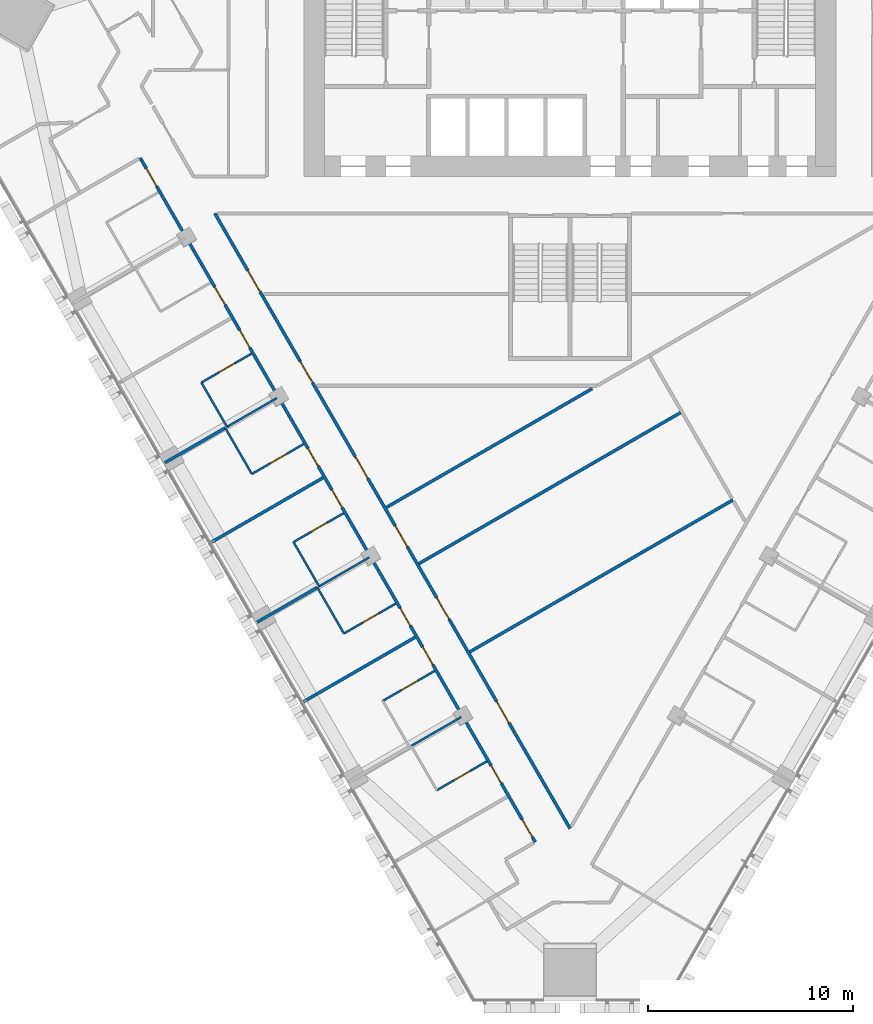
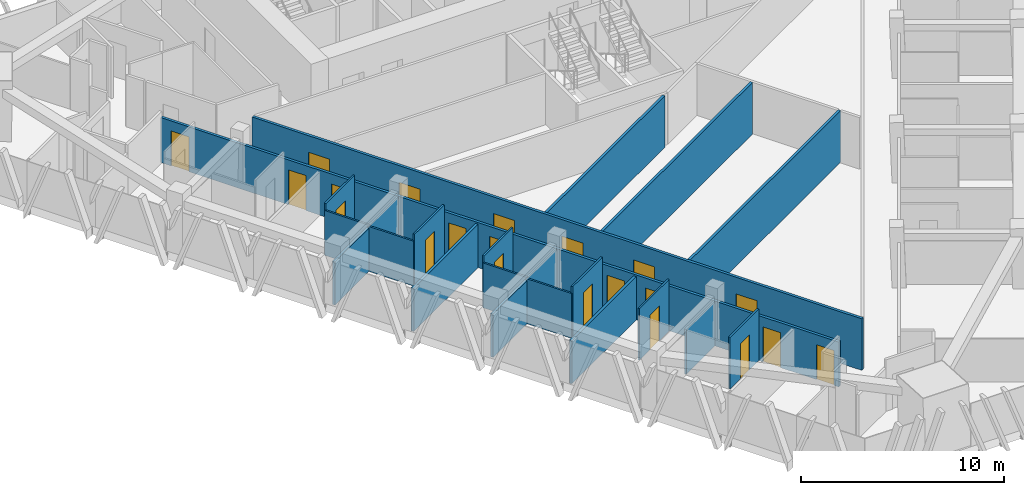
# One storey, part 9 of 17: 22 walls, 21 doors, 21 openings.
"""IFC4 building model written with IfcOpenShell, lengths in metres."""

from ifc_helpers import new_model, si_unit, direction, frame, frame_2d, origin, place, context, subcontext, project, spatial, rectangle, extrude, material, layer, layer_set, type_object, element, fill, save


model = new_model("IFC4")

# Units and contexts
model_context = context("Model", 3, precision=1e-05, world=origin(), true_north=direction((0.0, 1.0)))
body_context = subcontext(model_context, "Body", "Model", "MODEL_VIEW")
ifc_project = project(units=[si_unit("LENGTHUNIT", "METRE"), si_unit("AREAUNIT", "SQUARE_METRE"), si_unit("VOLUMEUNIT", "CUBIC_METRE"), si_unit("PLANEANGLEUNIT", "RADIAN"), si_unit("MASSUNIT", "GRAM", prefix="KILO")], contexts=[model_context])

# Site, building, storey
site_placement = place(None, origin())
site = spatial("IfcSite", under=ifc_project, at=site_placement, CompositionType="ELEMENT")
building_placement = place(site_placement, origin())
building = spatial("IfcBuilding", under=site, at=building_placement, Name="Altiplano Prism Tower", CompositionType="ELEMENT")
storey_placement = place(building_placement, frame((0.0, 0.0, 52.199951171875)))
storey = spatial("IfcBuildingStorey", under=building, at=storey_placement, Name="L12", CompositionType="ELEMENT", Elevation=52.199951171875)

# Wall
ifc_material_1 = material(Name="Plasterboard on steel stud", Category="steel")
ifc_layer_1 = layer(ifc_material_1, 0.10009765625)
ifc_layer_set_1 = layer_set([ifc_layer_1], Name="Plasterboard on steel stud")
wall_type_1 = type_object("IfcWallType", Name="Partition 100 unit", PredefinedType="PARTITIONING", material=ifc_layer_set_1)
wall_1_placement = place(storey_placement, frame((68.240966796875, 80.1669921875, 0.0), z_axis=(0.0, 0.0, 1.0), x_axis=(-0.500004234368, 0.866022959057, 0.0)))
element("IfcWall", 1, at=wall_1_placement, inside=storey, type_object=wall_type_1, Name="Partition P02 L12 063", PredefinedType="PARTITIONING", context=body_context, shape_type="SweptSolid", body=[
    extrude(rectangle(XDim=2.5, YDim=0.10009765625, at=frame_2d((1.25, 0.0))), origin(), (0.0, 0.0, 1.0), 2.699951171875),
])

# Wall, opening, door
wall_2_placement = place(storey_placement, frame((66.990966796875, 82.33203125, 0.0), z_axis=(0.0, 0.0, 1.0), x_axis=(0.866048868473, 0.499959355765, 0.0)))
wall_2 = element("IfcWall", 2, at=wall_2_placement, inside=storey, type_object=wall_type_1, Name="Partition P02 L12 064", PredefinedType="PARTITIONING", context=body_context, shape_type="SweptSolid", body=[
    extrude(rectangle(XDim=2.824951171875, YDim=0.10009765625, at=frame_2d((1.41259765625, 0.0))), origin(), (0.0, 0.0, 1.0), 3.10009765625),
])
opening_1_placement = place(wall_2_placement, frame((1.0, 0.0, 0.0)))
opening_1 = element("IfcOpeningElement", 3, at=opening_1_placement, cuts=wall_2, Name="Opening D0483", PredefinedType="OPENING", context=body_context, shape_type="SweptSolid", body=[
    extrude(rectangle(XDim=0.89990234375, YDim=2.10009765625, at=frame_2d((0.449951171875, 1.050048828125))), frame((0.0, 0.060546875, 0.0), z_axis=(0.0, -1.0, 0.0), x_axis=(1.0, 0.0, 0.0)), (0.0, 0.0, 1.0), 0.12109375),
])
ifc_material_2 = material(Name="Timber", Category="wood")
door_type_1 = type_object("IfcDoorType", Name="Ensuite door 900 x 2100", OperationType="NOTDEFINED", PredefinedType="NOTDEFINED", material=ifc_material_2)
door_1_placement = place(opening_1_placement, origin())
door_1 = element("IfcDoor", 4, at=door_1_placement, inside=storey, type_object=door_type_1, Name="Door D0483", OperationType="SINGLE_SWING_RIGHT", OverallHeight=2.10009765625, OverallWidth=0.89990234375, PredefinedType="NOTDEFINED", context=body_context, shape_type="SweptSolid", body=[
    extrude(rectangle(XDim=0.89990234375, YDim=2.10009765625, at=frame_2d((0.449951171875, 1.050048828125))), frame((0.0, 0.02490234375, 0.0), z_axis=(0.0, -1.0, 0.0), x_axis=(1.0, 0.0, 0.0)), (0.0, 0.0, 1.0), 0.050048828125),
])
fill(opening_1, door_1)

wall_3_placement = place(storey_placement, frame((71.987548828125, 79.327880859375, 0.0), z_axis=(0.0, 0.0, 1.0), x_axis=(-0.865989585315, -0.500062034277, 0.0)))
wall_3 = element("IfcWall", 5, at=wall_3_placement, inside=storey, type_object=wall_type_1, Name="Partition P02 L12 067", PredefinedType="PARTITIONING", context=body_context, shape_type="SweptSolid", body=[
    extrude(rectangle(XDim=2.925048828125, YDim=0.10009765625, at=frame_2d((1.46240234375, 0.0))), origin(), (0.0, 0.0, 1.0), 3.10009765625),
])
opening_2_placement = place(wall_3_placement, frame((0.97509765625, 0.0, 0.0)))
opening_2 = element("IfcOpeningElement", 6, at=opening_2_placement, cuts=wall_3, Name="Opening D0485", PredefinedType="OPENING", context=body_context, shape_type="SweptSolid", body=[
    extrude(rectangle(XDim=0.89990234375, YDim=2.10009765625, at=frame_2d((0.449951171875, 1.050048828125))), frame((0.0, 0.060546875, 0.0), z_axis=(0.0, -1.0, 0.0), x_axis=(1.0, 0.0, 0.0)), (0.0, 0.0, 1.0), 0.12109375),
])
door_2_placement = place(opening_2_placement, origin())
door_2 = element("IfcDoor", 7, at=door_2_placement, inside=storey, type_object=door_type_1, Name="Door D0485", OperationType="SINGLE_SWING_LEFT", OverallHeight=2.10009765625, OverallWidth=0.89990234375, PredefinedType="NOTDEFINED", context=body_context, shape_type="SweptSolid", body=[
    extrude(rectangle(XDim=0.89990234375, YDim=2.10009765625, at=frame_2d((0.449951171875, 1.050048828125))), frame((0.0, 0.02490234375, 0.0), z_axis=(0.0, -1.0, 0.0), x_axis=(1.0, 0.0, 0.0)), (0.0, 0.0, 1.0), 0.050048828125),
])
fill(opening_2, door_2)

# Walls
wall_4_placement = place(storey_placement, frame((69.45458984375, 77.865234375, 0.0), z_axis=(0.0, 0.0, 1.0), x_axis=(-0.500006934395, 0.866021400173, 0.0)))
element("IfcWall", 8, at=wall_4_placement, inside=storey, type_object=wall_type_1, Name="Partition P02 L12 068", PredefinedType="PARTITIONING", context=body_context, shape_type="SweptSolid", body=[
    extrude(rectangle(XDim=2.60009765625, YDim=0.10009765625, at=frame_2d((1.300048828125, 0.0))), origin(), (0.0, 0.0, 1.0), 2.699951171875),
])
wall_5_placement = place(storey_placement, frame((72.740966796875, 72.372802734375, 0.0), z_axis=(0.0, 0.0, 1.0), x_axis=(-0.500004234368, 0.866022959057, 0.0)))
element("IfcWall", 9, at=wall_5_placement, inside=storey, type_object=wall_type_1, Name="Partition P02 L12 070", PredefinedType="PARTITIONING", context=body_context, shape_type="SweptSolid", body=[
    extrude(rectangle(XDim=2.5, YDim=0.10009765625, at=frame_2d((1.25, 0.0))), origin(), (0.0, 0.0, 1.0), 2.699951171875),
])

# Wall, opening, door
wall_6_placement = place(storey_placement, frame((71.490966796875, 74.537841796875, 0.0), z_axis=(0.0, 0.0, 1.0), x_axis=(0.866048868473, 0.499959355765, 0.0)))
wall_6 = element("IfcWall", 10, at=wall_6_placement, inside=storey, type_object=wall_type_1, Name="Partition P02 L12 071", PredefinedType="PARTITIONING", context=body_context, shape_type="SweptSolid", body=[
    extrude(rectangle(XDim=2.824951171875, YDim=0.10009765625, at=frame_2d((1.41259765625, 0.0))), origin(), (0.0, 0.0, 1.0), 3.10009765625),
])
opening_3_placement = place(wall_6_placement, frame((1.0, 0.0, 0.0)))
opening_3 = element("IfcOpeningElement", 11, at=opening_3_placement, cuts=wall_6, Name="Opening D0487", PredefinedType="OPENING", context=body_context, shape_type="SweptSolid", body=[
    extrude(rectangle(XDim=0.89990234375, YDim=2.10009765625, at=frame_2d((0.449951171875, 1.050048828125))), frame((0.0, 0.060546875, 0.0), z_axis=(0.0, -1.0, 0.0), x_axis=(1.0, 0.0, 0.0)), (0.0, 0.0, 1.0), 0.12109375),
])
door_3_placement = place(opening_3_placement, origin())
door_3 = element("IfcDoor", 12, at=door_3_placement, inside=storey, type_object=door_type_1, Name="Door D0487", OperationType="SINGLE_SWING_RIGHT", OverallHeight=2.10009765625, OverallWidth=0.89990234375, PredefinedType="NOTDEFINED", context=body_context, shape_type="SweptSolid", body=[
    extrude(rectangle(XDim=0.89990234375, YDim=2.10009765625, at=frame_2d((0.449951171875, 1.050048828125))), frame((0.0, 0.02490234375, 0.0), z_axis=(0.0, -1.0, 0.0), x_axis=(1.0, 0.0, 0.0)), (0.0, 0.0, 1.0), 0.050048828125),
])
fill(opening_3, door_3)

wall_7_placement = place(storey_placement, frame((76.487548828125, 71.533447265625, 0.0), z_axis=(0.0, 0.0, 1.0), x_axis=(-0.866025730634, -0.499999433879, 0.0)))
wall_7 = element("IfcWall", 13, at=wall_7_placement, inside=storey, type_object=wall_type_1, Name="Partition P02 L12 074", PredefinedType="PARTITIONING", context=body_context, shape_type="SweptSolid", body=[
    extrude(rectangle(XDim=2.9248046875, YDim=0.10009765625, at=frame_2d((1.46240234375, 0.0))), origin(), (0.0, 0.0, 1.0), 3.10009765625),
])
opening_4_placement = place(wall_7_placement, frame((0.97509765625, 0.0, 0.0)))
opening_4 = element("IfcOpeningElement", 14, at=opening_4_placement, cuts=wall_7, Name="Opening D0489", PredefinedType="OPENING", context=body_context, shape_type="SweptSolid", body=[
    extrude(rectangle(XDim=0.89990234375, YDim=2.10009765625, at=frame_2d((0.449951171875, 1.050048828125))), frame((0.0, 0.060546875, 0.0), z_axis=(0.0, -1.0, 0.0), x_axis=(1.0, 0.0, 0.0)), (0.0, 0.0, 1.0), 0.12109375),
])
door_4_placement = place(opening_4_placement, origin())
door_4 = element("IfcDoor", 15, at=door_4_placement, inside=storey, type_object=door_type_1, Name="Door D0489", OperationType="SINGLE_SWING_RIGHT", OverallHeight=2.10009765625, OverallWidth=0.89990234375, PredefinedType="NOTDEFINED", context=body_context, shape_type="SweptSolid", body=[
    extrude(rectangle(XDim=0.89990234375, YDim=2.10009765625, at=frame_2d((0.449951171875, 1.050048828125))), frame((0.0, 0.02490234375, 0.0), z_axis=(0.0, -1.0, 0.0), x_axis=(1.0, 0.0, 0.0)), (0.0, 0.0, 1.0), 0.050048828125),
])
fill(opening_4, door_4)

# Wall
wall_8_placement = place(storey_placement, frame((73.95458984375, 70.071044921875, 0.0), z_axis=(0.0, 0.0, 1.0), x_axis=(-0.500006934395, 0.866021400173, 0.0)))
element("IfcWall", 16, at=wall_8_placement, inside=storey, type_object=wall_type_1, Name="Partition P02 L12 075", PredefinedType="PARTITIONING", context=body_context, shape_type="SweptSolid", body=[
    extrude(rectangle(XDim=2.60009765625, YDim=0.10009765625, at=frame_2d((1.300048828125, 0.0))), origin(), (0.0, 0.0, 1.0), 2.699951171875),
])

# Wall, opening, door
wall_9_placement = place(storey_placement, frame((75.8544921875, 66.780029296875, 0.0), z_axis=(0.0, 0.0, 1.0), x_axis=(0.86601045545, 0.500025890382, 0.0)))
wall_9 = element("IfcWall", 17, at=wall_9_placement, inside=storey, type_object=wall_type_1, Name="Partition P02 L12 078", PredefinedType="PARTITIONING", context=body_context, shape_type="SweptSolid", body=[
    extrude(rectangle(XDim=2.925048828125, YDim=0.10009765625, at=frame_2d((1.46240234375, 0.0))), origin(), (0.0, 0.0, 1.0), 3.10009765625),
])
opening_5_placement = place(wall_9_placement, frame((1.050048828125, 0.0, 0.0)))
opening_5 = element("IfcOpeningElement", 18, at=opening_5_placement, cuts=wall_9, Name="Opening D0491", PredefinedType="OPENING", context=body_context, shape_type="SweptSolid", body=[
    extrude(rectangle(XDim=0.89990234375, YDim=2.10009765625, at=frame_2d((0.449951171875, 1.050048828125))), frame((0.0, 0.060546875, 0.0), z_axis=(0.0, -1.0, 0.0), x_axis=(1.0, 0.0, 0.0)), (0.0, 0.0, 1.0), 0.12109375),
])
door_5_placement = place(opening_5_placement, origin())
door_5 = element("IfcDoor", 19, at=door_5_placement, inside=storey, type_object=door_type_1, Name="Door D0491", OperationType="SINGLE_SWING_RIGHT", OverallHeight=2.10009765625, OverallWidth=0.89990234375, PredefinedType="NOTDEFINED", context=body_context, shape_type="SweptSolid", body=[
    extrude(rectangle(XDim=0.89990234375, YDim=2.10009765625, at=frame_2d((0.449951171875, 1.050048828125))), frame((0.0, 0.02490234375, 0.0), z_axis=(0.0, -1.0, 0.0), x_axis=(1.0, 0.0, 0.0)), (0.0, 0.0, 1.0), 0.050048828125),
])
fill(opening_5, door_5)

wall_10_placement = place(storey_placement, frame((80.9375, 63.825927734375, 0.0), z_axis=(0.0, 0.0, 1.0), x_axis=(-0.866011447264, -0.500024172624, 0.0)))
wall_10 = element("IfcWall", 20, at=wall_10_placement, inside=storey, type_object=wall_type_1, Name="Partition P02 L12 081", PredefinedType="PARTITIONING", context=body_context, shape_type="SweptSolid", body=[
    extrude(rectangle(XDim=2.824951171875, YDim=0.10009765625, at=frame_2d((1.41259765625, 0.0))), origin(), (0.0, 0.0, 1.0), 3.10009765625),
])
opening_6_placement = place(wall_10_placement, frame((0.925048828125, 0.0, 0.0)))
opening_6 = element("IfcOpeningElement", 21, at=opening_6_placement, cuts=wall_10, Name="Opening D0493", PredefinedType="OPENING", context=body_context, shape_type="SweptSolid", body=[
    extrude(rectangle(XDim=0.89990234375, YDim=2.10009765625, at=frame_2d((0.449951171875, 1.050048828125))), frame((0.0, 0.060546875, 0.0), z_axis=(0.0, -1.0, 0.0), x_axis=(1.0, 0.0, 0.0)), (0.0, 0.0, 1.0), 0.12109375),
])
door_6_placement = place(opening_6_placement, origin())
door_6 = element("IfcDoor", 22, at=door_6_placement, inside=storey, type_object=door_type_1, Name="Door D0493", OperationType="SINGLE_SWING_RIGHT", OverallHeight=2.10009765625, OverallWidth=0.89990234375, PredefinedType="NOTDEFINED", context=body_context, shape_type="SweptSolid", body=[
    extrude(rectangle(XDim=0.89990234375, YDim=2.10009765625, at=frame_2d((0.449951171875, 1.050048828125))), frame((0.0, 0.02490234375, 0.0), z_axis=(0.0, -1.0, 0.0), x_axis=(1.0, 0.0, 0.0)), (0.0, 0.0, 1.0), 0.050048828125),
])
fill(opening_6, door_6)

# Walls
ifc_layer_2 = layer(ifc_material_1, 0.10009765625)
ifc_layer_set_2 = layer_set([ifc_layer_2], Name="Plasterboard on steel stud")
wall_type_2 = type_object("IfcWallType", Name="Partition 100 wet", PredefinedType="PARTITIONING", material=ifc_layer_set_2)
for number, where, z_axis, x_axis, name in (
    (23, (68.223876953125, 80.156982421875, 0.0), (0.0, 0.0, 1.0), (0.866026948466, 0.499997324523, 0.0), "Partition P03 L12 066"),
    (24, (72.723876953125, 72.36279296875, 0.0), (0.0, 0.0, 1.0), (0.866026948466, 0.499997324523, 0.0), "Partition P03 L12 073"),
):
    element("IfcWall", number, at=place(storey_placement, frame(where, z_axis=z_axis, x_axis=x_axis)), inside=storey, type_object=wall_type_2, Name=name, PredefinedType="PARTITIONING", context=body_context, shape_type="SweptSolid", body=[
        extrude(rectangle(XDim=2.8447265625, YDim=0.10009765625, at=frame_2d((1.42236328125, 0.0))), origin(), (0.0, 0.0, 1.0), 2.699951171875),
    ])
wall_11_placement = place(storey_placement, frame((77.240966796875, 64.578369140625, 0.0), z_axis=(0.0, 0.0, 1.0), x_axis=(0.866011447264, 0.500024172624, 0.0)))
element("IfcWall", 25, at=wall_11_placement, inside=storey, type_object=wall_type_2, Name="Partition P03 L12 080", PredefinedType="PARTITIONING", context=body_context, shape_type="SweptSolid", body=[
    extrude(rectangle(XDim=2.824951171875, YDim=0.10009765625, at=frame_2d((1.41259765625, 0.0))), origin(), (0.0, 0.0, 1.0), 2.699951171875),
])

# Wall, openings, doors
ifc_layer_3 = layer(ifc_material_1, 0.14990234375)
ifc_layer_set_3 = layer_set([ifc_layer_3], Name="Plasterboard on steel stud")
wall_type_3 = type_object("IfcWallType", Name="Partition 150 corridor", PredefinedType="PARTITIONING", material=ifc_layer_set_3)
wall_12_placement = place(storey_placement, frame((64.00244140625, 93.308349609375, 0.0), z_axis=(0.0, 0.0, 1.0), x_axis=(0.49999948646, -0.866025700277, 0.0)))
wall_12 = element("IfcWall", 26, at=wall_12_placement, inside=storey, type_object=wall_type_3, Name="Partition P06 L12 022", PredefinedType="PARTITIONING", context=body_context, shape_type="SweptSolid", body=[
    extrude(rectangle(XDim=38.60009765625, YDim=0.14990234375, at=frame_2d((19.300048828125, 0.0))), origin(), (0.0, 0.0, 1.0), 2.699951171875),
])
opening_7_placement = place(wall_12_placement, frame((0.60498046875, 0.0, 0.0)))
opening_7 = element("IfcOpeningElement", 27, at=opening_7_placement, cuts=wall_12, Name="Opening D0478", PredefinedType="OPENING", context=body_context, shape_type="SweptSolid", body=[
    extrude(rectangle(XDim=1.0, YDim=2.10009765625, at=frame_2d((0.5, 1.050048828125))), frame((0.0, 0.08544921875, 0.0), z_axis=(0.0, -1.0, 0.0), x_axis=(1.0, 0.0, 0.0)), (0.0, 0.0, 1.0), 0.1708984375),
])
opening_8_placement = place(wall_12_placement, frame((7.280029296875, 0.0, 0.0)))
opening_8 = element("IfcOpeningElement", 28, at=opening_8_placement, cuts=wall_12, Name="Opening D0480", PredefinedType="OPENING", context=body_context, shape_type="SweptSolid", body=[
    extrude(rectangle(XDim=1.0, YDim=2.10009765625, at=frame_2d((0.5, 1.050048828125))), frame((0.0, 0.08544921875, 0.0), z_axis=(0.0, -1.0, 0.0), x_axis=(1.0, 0.0, 0.0)), (0.0, 0.0, 1.0), 0.1708984375),
])
opening_9_placement = place(wall_12_placement, frame((9.719970703125, 0.0, 0.0)))
opening_9 = element("IfcOpeningElement", 29, at=opening_9_placement, cuts=wall_12, Name="Opening D0482", PredefinedType="OPENING", context=body_context, shape_type="SweptSolid", body=[
    extrude(rectangle(XDim=1.0, YDim=2.10009765625, at=frame_2d((0.5, 1.050048828125))), frame((0.0, 0.08544921875, 0.0), z_axis=(0.0, -1.0, 0.0), x_axis=(1.0, 0.0, 0.0)), (0.0, 0.0, 1.0), 0.1708984375),
])
opening_10_placement = place(wall_12_placement, frame((16.39501953125, 0.0, 0.0)))
opening_10 = element("IfcOpeningElement", 30, at=opening_10_placement, cuts=wall_12, Name="Opening D0484", PredefinedType="OPENING", context=body_context, shape_type="SweptSolid", body=[
    extrude(rectangle(XDim=1.0, YDim=2.10009765625, at=frame_2d((0.5, 1.050048828125))), frame((0.0, 0.08544921875, 0.0), z_axis=(0.0, -1.0, 0.0), x_axis=(1.0, 0.0, 0.0)), (0.0, 0.0, 1.0), 0.1708984375),
])
opening_11_placement = place(wall_12_placement, frame((18.719970703125, 0.0, 0.0)))
opening_11 = element("IfcOpeningElement", 31, at=opening_11_placement, cuts=wall_12, Name="Opening D0486", PredefinedType="OPENING", context=body_context, shape_type="SweptSolid", body=[
    extrude(rectangle(XDim=1.0, YDim=2.10009765625, at=frame_2d((0.5, 1.050048828125))), frame((0.0, 0.08544921875, 0.0), z_axis=(0.0, -1.0, 0.0), x_axis=(1.0, 0.0, 0.0)), (0.0, 0.0, 1.0), 0.1708984375),
])
opening_12_placement = place(wall_12_placement, frame((25.39501953125, 0.0, 0.0)))
opening_12 = element("IfcOpeningElement", 32, at=opening_12_placement, cuts=wall_12, Name="Opening D0488", PredefinedType="OPENING", context=body_context, shape_type="SweptSolid", body=[
    extrude(rectangle(XDim=1.0, YDim=2.10009765625, at=frame_2d((0.5, 1.050048828125))), frame((0.0, 0.08544921875, 0.0), z_axis=(0.0, -1.0, 0.0), x_axis=(1.0, 0.0, 0.0)), (0.0, 0.0, 1.0), 0.1708984375),
])
opening_13_placement = place(wall_12_placement, frame((27.60498046875, 0.0, 0.0)))
opening_13 = element("IfcOpeningElement", 33, at=opening_13_placement, cuts=wall_12, Name="Opening D0490", PredefinedType="OPENING", context=body_context, shape_type="SweptSolid", body=[
    extrude(rectangle(XDim=1.0, YDim=2.10009765625, at=frame_2d((0.5, 1.050048828125))), frame((0.0, 0.08544921875, 0.0), z_axis=(0.0, -1.0, 0.0), x_axis=(1.0, 0.0, 0.0)), (0.0, 0.0, 1.0), 0.1708984375),
])
opening_14_placement = place(wall_12_placement, frame((34.280029296875, 0.0, 0.0)))
opening_14 = element("IfcOpeningElement", 34, at=opening_14_placement, cuts=wall_12, Name="Opening D0492", PredefinedType="OPENING", context=body_context, shape_type="SweptSolid", body=[
    extrude(rectangle(XDim=1.0, YDim=2.10009765625, at=frame_2d((0.5, 1.050048828125))), frame((0.0, 0.08544921875, 0.0), z_axis=(0.0, -1.0, 0.0), x_axis=(1.0, 0.0, 0.0)), (0.0, 0.0, 1.0), 0.1708984375),
])
opening_15_placement = place(wall_12_placement, frame((37.323974609375, 0.0, 0.0)))
opening_15 = element("IfcOpeningElement", 35, at=opening_15_placement, cuts=wall_12, Name="Opening D0494", PredefinedType="OPENING", context=body_context, shape_type="SweptSolid", body=[
    extrude(rectangle(XDim=1.0, YDim=2.10009765625, at=frame_2d((0.5, 1.050048828125))), frame((0.0, 0.08544921875, 0.0), z_axis=(0.0, -1.0, 0.0), x_axis=(1.0, 0.0, 0.0)), (0.0, 0.0, 1.0), 0.1708984375),
])
door_type_2 = type_object("IfcDoorType", Name="Bedroom entrance door 1000 x 2100", OperationType="NOTDEFINED", PredefinedType="NOTDEFINED", material=ifc_material_2)
door_7_placement = place(opening_7_placement, origin())
door_7 = element("IfcDoor", 36, at=door_7_placement, inside=storey, type_object=door_type_2, Name="Door D0478", OperationType="SINGLE_SWING_RIGHT", OverallHeight=2.10009765625, OverallWidth=1.0, PredefinedType="NOTDEFINED", context=body_context, shape_type="SweptSolid", body=[
    extrude(rectangle(XDim=1.0, YDim=2.10009765625, at=frame_2d((0.5, 1.050048828125))), frame((0.0, 0.02490234375, 0.0), z_axis=(0.0, -1.0, 0.0), x_axis=(1.0, 0.0, 0.0)), (0.0, 0.0, 1.0), 0.050048828125),
])
fill(opening_7, door_7)
door_8_placement = place(opening_8_placement, origin())
door_8 = element("IfcDoor", 37, at=door_8_placement, inside=storey, type_object=door_type_2, Name="Door D0480", OperationType="SINGLE_SWING_RIGHT", OverallHeight=2.10009765625, OverallWidth=1.0, PredefinedType="NOTDEFINED", context=body_context, shape_type="SweptSolid", body=[
    extrude(rectangle(XDim=1.0, YDim=2.10009765625, at=frame_2d((0.5, 1.050048828125))), frame((0.0, 0.02490234375, 0.0), z_axis=(0.0, -1.0, 0.0), x_axis=(1.0, 0.0, 0.0)), (0.0, 0.0, 1.0), 0.050048828125),
])
fill(opening_8, door_8)
door_9_placement = place(opening_9_placement, origin())
door_9 = element("IfcDoor", 38, at=door_9_placement, inside=storey, type_object=door_type_2, Name="Door D0482", OperationType="SINGLE_SWING_RIGHT", OverallHeight=2.10009765625, OverallWidth=1.0, PredefinedType="NOTDEFINED", context=body_context, shape_type="SweptSolid", body=[
    extrude(rectangle(XDim=1.0, YDim=2.10009765625, at=frame_2d((0.5, 1.050048828125))), frame((0.0, 0.02490234375, 0.0), z_axis=(0.0, -1.0, 0.0), x_axis=(1.0, 0.0, 0.0)), (0.0, 0.0, 1.0), 0.050048828125),
])
fill(opening_9, door_9)
door_10_placement = place(opening_10_placement, origin())
door_10 = element("IfcDoor", 39, at=door_10_placement, inside=storey, type_object=door_type_2, Name="Door D0484", OperationType="SINGLE_SWING_RIGHT", OverallHeight=2.10009765625, OverallWidth=1.0, PredefinedType="NOTDEFINED", context=body_context, shape_type="SweptSolid", body=[
    extrude(rectangle(XDim=1.0, YDim=2.10009765625, at=frame_2d((0.5, 1.050048828125))), frame((0.0, 0.02490234375, 0.0), z_axis=(0.0, -1.0, 0.0), x_axis=(1.0, 0.0, 0.0)), (0.0, 0.0, 1.0), 0.050048828125),
])
fill(opening_10, door_10)
door_11_placement = place(opening_11_placement, origin())
door_11 = element("IfcDoor", 40, at=door_11_placement, inside=storey, type_object=door_type_2, Name="Door D0486", OperationType="SINGLE_SWING_LEFT", OverallHeight=2.10009765625, OverallWidth=1.0, PredefinedType="NOTDEFINED", context=body_context, shape_type="SweptSolid", body=[
    extrude(rectangle(XDim=1.0, YDim=2.10009765625, at=frame_2d((0.5, 1.050048828125))), frame((0.0, 0.02490234375, 0.0), z_axis=(0.0, -1.0, 0.0), x_axis=(1.0, 0.0, 0.0)), (0.0, 0.0, 1.0), 0.050048828125),
])
fill(opening_11, door_11)
door_12_placement = place(opening_12_placement, origin())
door_12 = element("IfcDoor", 41, at=door_12_placement, inside=storey, type_object=door_type_2, Name="Door D0488", OperationType="SINGLE_SWING_RIGHT", OverallHeight=2.10009765625, OverallWidth=1.0, PredefinedType="NOTDEFINED", context=body_context, shape_type="SweptSolid", body=[
    extrude(rectangle(XDim=1.0, YDim=2.10009765625, at=frame_2d((0.5, 1.050048828125))), frame((0.0, 0.02490234375, 0.0), z_axis=(0.0, -1.0, 0.0), x_axis=(1.0, 0.0, 0.0)), (0.0, 0.0, 1.0), 0.050048828125),
])
fill(opening_12, door_12)
door_13_placement = place(opening_13_placement, origin())
door_13 = element("IfcDoor", 42, at=door_13_placement, inside=storey, type_object=door_type_2, Name="Door D0490", OperationType="SINGLE_SWING_LEFT", OverallHeight=2.10009765625, OverallWidth=1.0, PredefinedType="NOTDEFINED", context=body_context, shape_type="SweptSolid", body=[
    extrude(rectangle(XDim=1.0, YDim=2.10009765625, at=frame_2d((0.5, 1.050048828125))), frame((0.0, 0.02490234375, 0.0), z_axis=(0.0, -1.0, 0.0), x_axis=(1.0, 0.0, 0.0)), (0.0, 0.0, 1.0), 0.050048828125),
])
fill(opening_13, door_13)
door_14_placement = place(opening_14_placement, origin())
door_14 = element("IfcDoor", 43, at=door_14_placement, inside=storey, type_object=door_type_2, Name="Door D0492", OperationType="SINGLE_SWING_LEFT", OverallHeight=2.10009765625, OverallWidth=1.0, PredefinedType="NOTDEFINED", context=body_context, shape_type="SweptSolid", body=[
    extrude(rectangle(XDim=1.0, YDim=2.10009765625, at=frame_2d((0.5, 1.050048828125))), frame((0.0, 0.02490234375, 0.0), z_axis=(0.0, -1.0, 0.0), x_axis=(1.0, 0.0, 0.0)), (0.0, 0.0, 1.0), 0.050048828125),
])
fill(opening_14, door_14)
door_type_3 = type_object("IfcDoorType", Name="Room door 1000 x 2100", OperationType="NOTDEFINED", PredefinedType="NOTDEFINED", material=ifc_material_2)
door_15_placement = place(opening_15_placement, origin())
door_15 = element("IfcDoor", 44, at=door_15_placement, inside=storey, type_object=door_type_3, Name="Door D0494", OperationType="SINGLE_SWING_RIGHT", OverallHeight=2.10009765625, OverallWidth=1.0, PredefinedType="NOTDEFINED", context=body_context, shape_type="SweptSolid", body=[
    extrude(rectangle(XDim=1.0, YDim=2.10009765625, at=frame_2d((0.5, 1.050048828125))), frame((0.0, 0.02490234375, 0.0), z_axis=(0.0, -1.0, 0.0), x_axis=(1.0, 0.0, 0.0)), (0.0, 0.0, 1.0), 0.050048828125),
])
fill(opening_15, door_15)

wall_13_placement = place(storey_placement, frame((85.0, 60.53955078125, 0.0), z_axis=(0.0, 0.0, 1.0), x_axis=(-0.500000084694, 0.866025354886, 0.0)))
wall_13 = element("IfcWall", 45, at=wall_13_placement, inside=storey, type_object=wall_type_3, Name="Partition P06 L12 043", PredefinedType="PARTITIONING", context=body_context, shape_type="SweptSolid", body=[
    extrude(rectangle(XDim=34.7109375, YDim=0.14990234375, at=frame_2d((17.35546875, 0.0))), origin(), (0.0, 0.0, 1.0), 3.10009765625),
])
opening_16_placement = place(wall_13_placement, frame((5.966064453125, 0.0, 0.0)))
opening_16 = element("IfcOpeningElement", 46, at=opening_16_placement, cuts=wall_13, Name="Opening D0514", PredefinedType="OPENING", context=body_context, shape_type="SweptSolid", body=[
    extrude(rectangle(XDim=1.199951171875, YDim=2.10009765625, at=frame_2d((0.60009765625, 1.050048828125))), frame((0.0, 0.08544921875, 0.0), z_axis=(0.0, -1.0, 0.0), x_axis=(1.0, 0.0, 0.0)), (0.0, 0.0, 1.0), 0.1708984375),
])
opening_17_placement = place(wall_13_placement, frame((11.81298828125, 0.0, 0.0)))
opening_17 = element("IfcOpeningElement", 47, at=opening_17_placement, cuts=wall_13, Name="Opening D0516", PredefinedType="OPENING", context=body_context, shape_type="SweptSolid", body=[
    extrude(rectangle(XDim=1.199951171875, YDim=2.10009765625, at=frame_2d((0.60009765625, 1.050048828125))), frame((0.0, 0.08544921875, 0.0), z_axis=(0.0, -1.0, 0.0), x_axis=(1.0, 0.0, 0.0)), (0.0, 0.0, 1.0), 0.1708984375),
])
opening_18_placement = place(wall_13_placement, frame((25.156005859375, 0.0, 0.0)))
opening_18 = element("IfcOpeningElement", 48, at=opening_18_placement, cuts=wall_13, Name="Opening D0517", PredefinedType="OPENING", context=body_context, shape_type="SweptSolid", body=[
    extrude(rectangle(XDim=1.199951171875, YDim=2.10009765625, at=frame_2d((0.60009765625, 1.050048828125))), frame((0.0, 0.08544921875, 0.0), z_axis=(0.0, -1.0, 0.0), x_axis=(1.0, 0.0, 0.0)), (0.0, 0.0, 1.0), 0.1708984375),
])
opening_19_placement = place(wall_13_placement, frame((30.2880859375, 0.0, 0.0)))
opening_19 = element("IfcOpeningElement", 49, at=opening_19_placement, cuts=wall_13, Name="Opening D0518", PredefinedType="OPENING", context=body_context, shape_type="SweptSolid", body=[
    extrude(rectangle(XDim=1.199951171875, YDim=2.10009765625, at=frame_2d((0.60009765625, 1.050048828125))), frame((0.0, 0.08544921875, 0.0), z_axis=(0.0, -1.0, 0.0), x_axis=(1.0, 0.0, 0.0)), (0.0, 0.0, 1.0), 0.1708984375),
])
opening_20_placement = place(wall_13_placement, frame((15.886962890625, 0.0, 0.0)))
opening_20 = element("IfcOpeningElement", 50, at=opening_20_placement, cuts=wall_13, Name="Opening D0519", PredefinedType="OPENING", context=body_context, shape_type="SweptSolid", body=[
    extrude(rectangle(XDim=1.199951171875, YDim=2.10009765625, at=frame_2d((0.60009765625, 1.050048828125))), frame((0.0, 0.08544921875, 0.0), z_axis=(0.0, -1.0, 0.0), x_axis=(1.0, 0.0, 0.0)), (0.0, 0.0, 1.0), 0.1708984375),
])
opening_21_placement = place(wall_13_placement, frame((19.777099609375, 0.0, 0.0)))
opening_21 = element("IfcOpeningElement", 51, at=opening_21_placement, cuts=wall_13, Name="Opening D0520", PredefinedType="OPENING", context=body_context, shape_type="SweptSolid", body=[
    extrude(rectangle(XDim=1.199951171875, YDim=2.10009765625, at=frame_2d((0.60009765625, 1.050048828125))), frame((0.0, 0.08544921875, 0.0), z_axis=(0.0, -1.0, 0.0), x_axis=(1.0, 0.0, 0.0)), (0.0, 0.0, 1.0), 0.1708984375),
])
door_type_4 = type_object("IfcDoorType", Name="Shared room door 1200 x 2100", OperationType="NOTDEFINED", PredefinedType="NOTDEFINED", material=ifc_material_2)
door_16_placement = place(opening_16_placement, origin())
door_16 = element("IfcDoor", 52, at=door_16_placement, inside=storey, type_object=door_type_4, Name="Door D0514", OperationType="SINGLE_SWING_LEFT", OverallHeight=2.10009765625, OverallWidth=1.199951171875, PredefinedType="NOTDEFINED", context=body_context, shape_type="SweptSolid", body=[
    extrude(rectangle(XDim=1.199951171875, YDim=2.10009765625, at=frame_2d((0.60009765625, 1.050048828125))), frame((0.0, 0.02490234375, 0.0), z_axis=(0.0, -1.0, 0.0), x_axis=(1.0, 0.0, 0.0)), (0.0, 0.0, 1.0), 0.050048828125),
])
fill(opening_16, door_16)
door_17_placement = place(opening_17_placement, origin())
door_17 = element("IfcDoor", 53, at=door_17_placement, inside=storey, type_object=door_type_4, Name="Door D0516", OperationType="SINGLE_SWING_RIGHT", OverallHeight=2.10009765625, OverallWidth=1.199951171875, PredefinedType="NOTDEFINED", context=body_context, shape_type="SweptSolid", body=[
    extrude(rectangle(XDim=1.199951171875, YDim=2.10009765625, at=frame_2d((0.60009765625, 1.050048828125))), frame((0.0, 0.02490234375, 0.0), z_axis=(0.0, -1.0, 0.0), x_axis=(1.0, 0.0, 0.0)), (0.0, 0.0, 1.0), 0.050048828125),
])
fill(opening_17, door_17)
door_18_placement = place(opening_18_placement, origin())
door_18 = element("IfcDoor", 54, at=door_18_placement, inside=storey, type_object=door_type_4, Name="Door D0517", OperationType="SINGLE_SWING_LEFT", OverallHeight=2.10009765625, OverallWidth=1.199951171875, PredefinedType="NOTDEFINED", context=body_context, shape_type="SweptSolid", body=[
    extrude(rectangle(XDim=1.199951171875, YDim=2.10009765625, at=frame_2d((0.60009765625, 1.050048828125))), frame((0.0, 0.02490234375, 0.0), z_axis=(0.0, -1.0, 0.0), x_axis=(1.0, 0.0, 0.0)), (0.0, 0.0, 1.0), 0.050048828125),
])
fill(opening_18, door_18)
door_19_placement = place(opening_19_placement, origin())
door_19 = element("IfcDoor", 55, at=door_19_placement, inside=storey, type_object=door_type_4, Name="Door D0518", OperationType="SINGLE_SWING_RIGHT", OverallHeight=2.10009765625, OverallWidth=1.199951171875, PredefinedType="NOTDEFINED", context=body_context, shape_type="SweptSolid", body=[
    extrude(rectangle(XDim=1.199951171875, YDim=2.10009765625, at=frame_2d((0.60009765625, 1.050048828125))), frame((0.0, 0.02490234375, 0.0), z_axis=(0.0, -1.0, 0.0), x_axis=(1.0, 0.0, 0.0)), (0.0, 0.0, 1.0), 0.050048828125),
])
fill(opening_19, door_19)
door_20_placement = place(opening_20_placement, origin())
door_20 = element("IfcDoor", 56, at=door_20_placement, inside=storey, type_object=door_type_4, Name="Door D0519", OperationType="SINGLE_SWING_LEFT", OverallHeight=2.10009765625, OverallWidth=1.199951171875, PredefinedType="NOTDEFINED", context=body_context, shape_type="SweptSolid", body=[
    extrude(rectangle(XDim=1.199951171875, YDim=2.10009765625, at=frame_2d((0.60009765625, 1.050048828125))), frame((0.0, 0.02490234375, 0.0), z_axis=(0.0, -1.0, 0.0), x_axis=(1.0, 0.0, 0.0)), (0.0, 0.0, 1.0), 0.050048828125),
])
fill(opening_20, door_20)
door_21_placement = place(opening_21_placement, origin())
door_21 = element("IfcDoor", 57, at=door_21_placement, inside=storey, type_object=door_type_4, Name="Door D0520", OperationType="SINGLE_SWING_RIGHT", OverallHeight=2.10009765625, OverallWidth=1.199951171875, PredefinedType="NOTDEFINED", context=body_context, shape_type="SweptSolid", body=[
    extrude(rectangle(XDim=1.199951171875, YDim=2.10009765625, at=frame_2d((0.60009765625, 1.050048828125))), frame((0.0, 0.02490234375, 0.0), z_axis=(0.0, -1.0, 0.0), x_axis=(1.0, 0.0, 0.0)), (0.0, 0.0, 1.0), 0.050048828125),
])
fill(opening_21, door_21)

# Walls
ifc_layer_4 = layer(ifc_material_1, 0.14990234375)
ifc_layer_set_4 = layer_set([ifc_layer_4], Name="Plasterboard on steel stud")
wall_type_4 = type_object("IfcWallType", Name="Partition 150 party", PredefinedType="PARTITIONING", material=ifc_layer_set_4)
wall_14_placement = place(storey_placement, frame((65.2099609375, 78.4169921875, 0.0), z_axis=(0.0, 0.0, 1.0), x_axis=(0.866038511948, 0.499977295307, 0.0)))
element("IfcWall", 58, at=wall_14_placement, inside=storey, type_object=wall_type_4, Name="Partition P01 L12 065", PredefinedType="PARTITIONING", context=body_context, shape_type="SweptSolid", body=[
    extrude(rectangle(XDim=3.400146484375, YDim=0.14990234375, at=frame_2d((1.7001953125, 0.0))), origin(), (0.0, 0.0, 1.0), 2.60009765625),
])
wall_15_placement = place(storey_placement, frame((67.4423828125, 74.509765625, 0.0), z_axis=(0.0, 0.0, 1.0), x_axis=(0.866025401434, 0.500000004071, 0.0)))
element("IfcWall", 59, at=wall_15_placement, inside=storey, type_object=wall_type_4, Name="Partition P01 L12 069", PredefinedType="PARTITIONING", context=body_context, shape_type="SweptSolid", body=[
    extrude(rectangle(XDim=6.34521484375, YDim=0.14990234375, at=frame_2d((3.172607421875, 0.0))), origin(), (0.0, 0.0, 1.0), 2.60009765625),
])
wall_16_placement = place(storey_placement, frame((69.7099609375, 70.622802734375, 0.0), z_axis=(0.0, 0.0, 1.0), x_axis=(0.866038511948, 0.499977295307, 0.0)))
element("IfcWall", 60, at=wall_16_placement, inside=storey, type_object=wall_type_4, Name="Partition P01 L12 072", PredefinedType="PARTITIONING", context=body_context, shape_type="SweptSolid", body=[
    extrude(rectangle(XDim=3.400146484375, YDim=0.14990234375, at=frame_2d((1.7001953125, 0.0))), origin(), (0.0, 0.0, 1.0), 2.60009765625),
])
wall_17_placement = place(storey_placement, frame((71.9423828125, 66.715576171875, 0.0), z_axis=(0.0, 0.0, 1.0), x_axis=(0.866025401434, 0.500000004071, 0.0)))
element("IfcWall", 61, at=wall_17_placement, inside=storey, type_object=wall_type_4, Name="Partition P01 L12 076", PredefinedType="PARTITIONING", context=body_context, shape_type="SweptSolid", body=[
    extrude(rectangle(XDim=6.34521484375, YDim=0.14990234375, at=frame_2d((3.172607421875, 0.0))), origin(), (0.0, 0.0, 1.0), 2.60009765625),
])
wall_18_placement = place(storey_placement, frame((92.953857421875, 76.5927734375, 0.0), z_axis=(0.0, 0.0, 1.0), x_axis=(-0.866027508988, -0.499996353663, 0.0)))
element("IfcWall", 62, at=wall_18_placement, inside=storey, type_object=wall_type_4, Name="Partition P01 L12 111", PredefinedType="PARTITIONING", context=body_context, shape_type="SweptSolid", body=[
    extrude(rectangle(XDim=14.83984375, YDim=0.14990234375, at=frame_2d((7.419921875, 0.0))), origin(), (0.0, 0.0, 1.0), 3.10009765625),
])
wall_19_placement = place(storey_placement, frame((90.4013671875, 80.86376953125, 0.0), z_axis=(0.0, 0.0, 1.0), x_axis=(-0.866026427659, -0.499998226593, 0.0)))
element("IfcWall", 63, at=wall_19_placement, inside=storey, type_object=wall_type_4, Name="Partition P01 L12 114", PredefinedType="PARTITIONING", context=body_context, shape_type="SweptSolid", body=[
    extrude(rectangle(XDim=14.7646484375, YDim=0.14990234375, at=frame_2d((7.38232421875, 0.0))), origin(), (0.0, 0.0, 1.0), 3.10009765625),
])
wall_20_placement = place(storey_placement, frame((86.08349609375, 82.03515625, 0.0), z_axis=(0.0, 0.0, 1.0), x_axis=(-0.866028367734, -0.499994866253, 0.0)))
element("IfcWall", 64, at=wall_20_placement, inside=storey, type_object=wall_type_4, Name="Partition P01 L12 119", PredefinedType="PARTITIONING", context=body_context, shape_type="SweptSolid", body=[
    extrude(rectangle(XDim=11.61083984375, YDim=0.14990234375, at=frame_2d((5.805419921875, 0.0))), origin(), (0.0, 0.0, 1.0), 3.10009765625),
])

save(model, "model.ifc")
